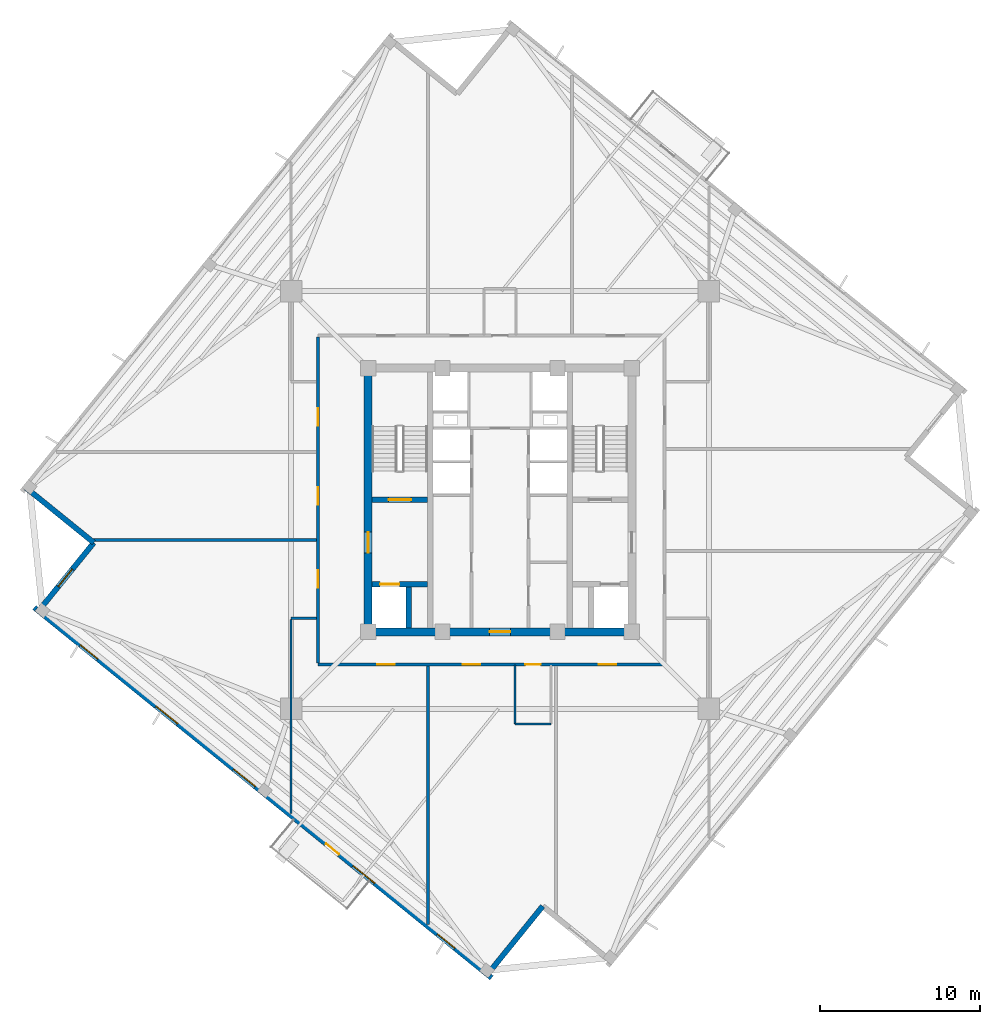
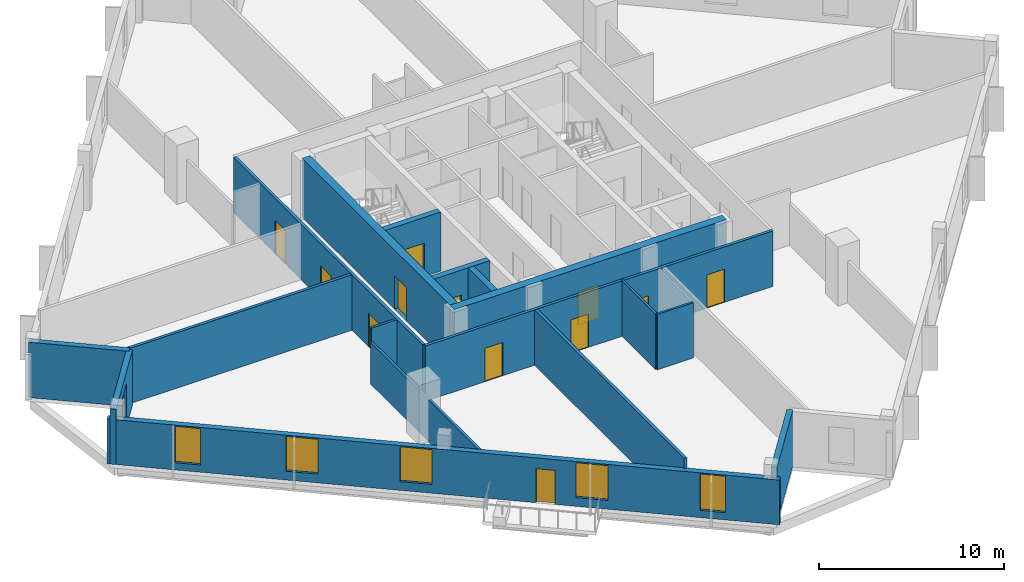
# One storey, part 3 of 10: 17 walls, 12 doors, 6 windows, 18 openings.
"""IFC4 building model written with IfcOpenShell, lengths in metres."""

from ifc_helpers import new_model, si_unit, direction, frame, frame_2d, origin, place, context, subcontext, project, spatial, rectangle, extrude, source, transform, mapped, material, layer, layer_set, type_object, element, fill, save


model = new_model("IFC4")

# Units and contexts
model_context = context("Model", 3, precision=1e-05, world=origin(), true_north=direction((0.0, 1.0)))
body_context = subcontext(model_context, "Body", "Model", "MODEL_VIEW")
ifc_project = project(units=[si_unit("LENGTHUNIT", "METRE"), si_unit("AREAUNIT", "SQUARE_METRE"), si_unit("VOLUMEUNIT", "CUBIC_METRE"), si_unit("PLANEANGLEUNIT", "RADIAN"), si_unit("MASSUNIT", "GRAM", prefix="KILO"), si_unit("THERMODYNAMICTEMPERATUREUNIT", "KELVIN")], contexts=[model_context])

# Site, building, storey
site_placement = place(None, origin())
site = spatial("IfcSite", under=ifc_project, at=site_placement, CompositionType="ELEMENT")
building_placement = place(site_placement, origin())
building = spatial("IfcBuilding", under=site, at=building_placement, Name="Kosmvard Interchange Tower", CompositionType="ELEMENT")
storey_placement = place(building_placement, frame((0.0, 0.0, 240.699951171875)))
storey = spatial("IfcBuildingStorey", under=building, at=storey_placement, Name="L58", CompositionType="ELEMENT", Elevation=240.699951171875)

# Walls
ifc_material_1 = material(Name="Acoustic gypsum partition system")
ifc_layer_1 = layer(ifc_material_1, 0.14990234375, Name="Acoustic gypsum partition system")
ifc_layer_set_1 = layer_set([ifc_layer_1], Name="Acoustic gypsum partition system")
wall_type_1 = type_object("IfcWallType", Name="Acoustic Suite & Meeting Partition 150", PredefinedType="PARTITIONING", material=ifc_layer_set_1)
wall_1_placement = place(storey_placement, frame((-11.4951171875, -7.39990234375, 0.0), z_axis=(0.0, 0.0, 1.0), x_axis=(-1.0, 0.0, 0.0)))
element("IfcWall", 1, at=wall_1_placement, inside=storey, type_object=wall_type_1, Name="L58 Room Partition 15.1", PredefinedType="PARTITIONING", context=body_context, shape_type="SweptSolid", body=[
    extrude(rectangle(XDim=1.5859375, YDim=0.14990234375, at=frame_2d((0.79296875, 0.0))), origin(), (0.0, 0.0, 1.0), 3.66015625),
])
wall_2_placement = place(storey_placement, frame((-13.0810546875, -7.47509765625, 0.0), z_axis=(0.0, 0.0, 1.0), x_axis=(0.0, -1.0, 0.0)))
element("IfcWall", 2, at=wall_2_placement, inside=storey, type_object=wall_type_1, Name="L58 Room Partition 16.1", PredefinedType="PARTITIONING", context=body_context, shape_type="SweptSolid", body=[
    extrude(rectangle(XDim=12.138916015625, YDim=0.14990234375, at=frame_2d((6.0693359375, 0.0))), origin(), (0.0, 0.0, 1.0), 2.760009765625),
])

# Wall, openings, doors
ifc_material_2 = material(Name="Fire-rated gypsum partition system")
ifc_layer_2 = layer(ifc_material_2, 0.179931640625, Name="Fire-rated gypsum partition system")
ifc_layer_set_2 = layer_set([ifc_layer_2], Name="Fire-rated gypsum partition system")
wall_type_2 = type_object("IfcWallType", Name="Corridor & Hotel Compartment Partition 180", PredefinedType="PARTITIONING", material=ifc_layer_set_2)
wall_3_placement = place(storey_placement, frame((-11.39990234375, -10.300048828125, 0.0), z_axis=(0.0, 0.0, 1.0), x_axis=(1.0, 0.0, 0.0)))
wall_3 = element("IfcWall", 3, at=wall_3_placement, inside=storey, type_object=wall_type_2, Name="L58 Corridor Wall CS", PredefinedType="PARTITIONING", context=body_context, shape_type="SweptSolid", body=[
    extrude(rectangle(XDim=21.699951171875, YDim=0.179931640625, at=frame_2d((10.85009765625, 0.0))), origin(), (0.0, 0.0, 1.0), 3.66015625),
])
opening_1_placement = place(wall_3_placement, frame((12.989013671875, 0.0, 0.0)))
opening_1 = element("IfcOpeningElement", 4, at=opening_1_placement, cuts=wall_3, Name="Opening L58-D02", PredefinedType="OPENING", context=body_context, shape_type="SweptSolid", body=[
    extrude(rectangle(XDim=0.949951171875, YDim=2.10009765625, at=frame_2d((0.47509765625, 1.050048828125))), frame((0.0, 0.10009765625, 0.0), z_axis=(0.0, -1.0, 0.0), x_axis=(1.0, 0.0, 0.0)), (0.0, 0.0, 1.0), 0.199951171875),
])
opening_2_placement = place(wall_3_placement, frame((17.58544921875, 0.0, 0.0)))
opening_2 = element("IfcOpeningElement", 5, at=opening_2_placement, cuts=wall_3, Name="Opening L58-D10", PredefinedType="OPENING", context=body_context, shape_type="SweptSolid", body=[
    extrude(rectangle(XDim=1.10009765625, YDim=2.199951171875, at=frame_2d((0.550048828125, 1.10009765625))), frame((0.0, 0.10009765625, 0.0), z_axis=(0.0, -1.0, 0.0), x_axis=(1.0, 0.0, 0.0)), (0.0, 0.0, 1.0), 0.199951171875),
])
opening_3_placement = place(wall_3_placement, frame((9.075439453125, 0.0, 0.0)))
opening_3 = element("IfcOpeningElement", 6, at=opening_3_placement, cuts=wall_3, Name="Opening L58-D11", PredefinedType="OPENING", context=body_context, shape_type="SweptSolid", body=[
    extrude(rectangle(XDim=1.10009765625, YDim=2.199951171875, at=frame_2d((0.550048828125, 1.10009765625))), frame((0.0, 0.10009765625, 0.0), z_axis=(0.0, -1.0, 0.0), x_axis=(1.0, 0.0, 0.0)), (0.0, 0.0, 1.0), 0.199951171875),
])
opening_4_placement = place(wall_3_placement, frame((3.724365234375, 0.0, 0.0)))
opening_4 = element("IfcOpeningElement", 7, at=opening_4_placement, cuts=wall_3, Name="Opening L58-D12", PredefinedType="OPENING", context=body_context, shape_type="SweptSolid", body=[
    extrude(rectangle(XDim=1.10009765625, YDim=2.199951171875, at=frame_2d((0.550048828125, 1.10009765625))), frame((0.0, 0.10009765625, 0.0), z_axis=(0.0, -1.0, 0.0), x_axis=(1.0, 0.0, 0.0)), (0.0, 0.0, 1.0), 0.199951171875),
])
ifc_material_3 = material(Name="Laminated moisture-resistant timber", Category="wood")
door_type_1 = type_object("IfcDoorType", Name="Accessible Washroom Door 950x2100", OperationType="NOTDEFINED", PredefinedType="DOOR", material=ifc_material_3)
shared_shape_1 = source(origin(), body_context, "Body", "SweptSolid", [
    extrude(rectangle(XDim=0.949951171875, YDim=2.10009765625, at=frame_2d((0.47509765625, 1.050048828125))), frame((0.0, 0.02490234375, 0.0), z_axis=(0.0, -1.0, 0.0), x_axis=(1.0, 0.0, 0.0)), (0.0, 0.0, 1.0), 0.050048828125),
])
door_1_placement = place(opening_1_placement, frame((0.949951171875, 0.0, 0.0), z_axis=(0.0, 0.0, 1.0), x_axis=(-1.0, 0.0, 0.0)))
door_1 = element("IfcDoor", 8, at=door_1_placement, inside=storey, type_object=door_type_1, Name="L58 Public Floor Washroom Door", OperationType="SINGLE_SWING_RIGHT", OverallHeight=2.10009765625, OverallWidth=0.949951171875, PredefinedType="DOOR", context=body_context, shape_type="MappedRepresentation", body=[
    mapped(shared_shape_1, transform((0.0, 0.0, 0.0), scale=1.0)),
])
fill(opening_1, door_1)
ifc_material_4 = material(Name="Engineered oak fire-rated timber", Category="wood")
door_type_2 = type_object("IfcDoorType", Name="Office Suite Entrance Door 1100x2200 FD30S", OperationType="NOTDEFINED", PredefinedType="DOOR", material=ifc_material_4)
shared_shape_2 = source(origin(), body_context, "Body", "SweptSolid", [
    extrude(rectangle(XDim=1.10009765625, YDim=2.199951171875, at=frame_2d((0.550048828125, 1.10009765625))), frame((0.0, 0.02490234375, 0.0), z_axis=(0.0, -1.0, 0.0), x_axis=(1.0, 0.0, 0.0)), (0.0, 0.0, 1.0), 0.050048828125),
])
door_2_placement = place(opening_2_placement, frame((1.10009765625, 0.0, 0.0), z_axis=(0.0, 0.0, 1.0), x_axis=(-1.0, 0.0, 0.0)))
door_2 = element("IfcDoor", 9, at=door_2_placement, inside=storey, type_object=door_type_2, Name="L58 Sky Floor Reception Door", OperationType="SINGLE_SWING_RIGHT", OverallHeight=2.199951171875, OverallWidth=1.10009765625, PredefinedType="DOOR", context=body_context, shape_type="MappedRepresentation", body=[
    mapped(shared_shape_2, transform((0.0, 0.0, 0.0), scale=1.0)),
])
fill(opening_2, door_2)
door_3_placement = place(opening_3_placement, frame((1.10009765625, 0.0, 0.0), z_axis=(0.0, 0.0, 1.0), x_axis=(-1.0, 0.0, 0.0)))
door_3 = element("IfcDoor", 10, at=door_3_placement, inside=storey, type_object=door_type_2, Name="L58 South-West Corner Office Door", OperationType="SINGLE_SWING_LEFT", OverallHeight=2.199951171875, OverallWidth=1.10009765625, PredefinedType="DOOR", context=body_context, shape_type="MappedRepresentation", body=[
    mapped(shared_shape_2, transform((0.0, 0.0, 0.0), scale=1.0)),
])
fill(opening_3, door_3)
door_4_placement = place(opening_4_placement, frame((1.10009765625, 0.0, 0.0), z_axis=(0.0, 0.0, 1.0), x_axis=(-1.0, 0.0, 0.0)))
door_4 = element("IfcDoor", 11, at=door_4_placement, inside=storey, type_object=door_type_2, Name="L58 Executive Tea Pantry Door", OperationType="SINGLE_SWING_RIGHT", OverallHeight=2.199951171875, OverallWidth=1.10009765625, PredefinedType="DOOR", context=body_context, shape_type="MappedRepresentation", body=[
    mapped(shared_shape_2, transform((0.0, 0.0, 0.0), scale=1.0)),
])
fill(opening_4, door_4)

wall_4_placement = place(storey_placement, frame((-11.39990234375, -10.199951171875, 0.0), z_axis=(0.0, 0.0, 1.0), x_axis=(0.0, 1.0, 0.0)))
wall_4 = element("IfcWall", 12, at=wall_4_placement, inside=storey, type_object=wall_type_2, Name="L58 Corridor Wall CW", PredefinedType="PARTITIONING", context=body_context, shape_type="SweptSolid", body=[
    extrude(rectangle(XDim=20.39990234375, YDim=0.179931640625, at=frame_2d((10.199951171875, 0.0))), origin(), (0.0, 0.0, 1.0), 3.66015625),
])
opening_5_placement = place(wall_4_placement, frame((14.85009765625, 0.0, 0.0)))
opening_5 = element("IfcOpeningElement", 13, at=opening_5_placement, cuts=wall_4, Name="Opening L58-D03", PredefinedType="OPENING", context=body_context, shape_type="SweptSolid", body=[
    extrude(rectangle(XDim=1.10009765625, YDim=2.199951171875, at=frame_2d((0.550048828125, 1.10009765625))), frame((0.0, 0.10009765625, 0.0), z_axis=(0.0, -1.0, 0.0), x_axis=(1.0, 0.0, 0.0)), (0.0, 0.0, 1.0), 0.199951171875),
])
opening_6_placement = place(wall_4_placement, frame((4.699951171875, 0.0, 0.0)))
opening_6 = element("IfcOpeningElement", 14, at=opening_6_placement, cuts=wall_4, Name="Opening L58-D13", PredefinedType="OPENING", context=body_context, shape_type="SweptSolid", body=[
    extrude(rectangle(XDim=1.10009765625, YDim=2.199951171875, at=frame_2d((0.550048828125, 1.10009765625))), frame((0.0, 0.10009765625, 0.0), z_axis=(0.0, -1.0, 0.0), x_axis=(1.0, 0.0, 0.0)), (0.0, 0.0, 1.0), 0.199951171875),
])
opening_7_placement = place(wall_4_placement, frame((9.89990234375, 0.0, 0.0)))
opening_7 = element("IfcOpeningElement", 15, at=opening_7_placement, cuts=wall_4, Name="Opening L58-D14", PredefinedType="OPENING", context=body_context, shape_type="SweptSolid", body=[
    extrude(rectangle(XDim=1.10009765625, YDim=2.199951171875, at=frame_2d((0.550048828125, 1.10009765625))), frame((0.0, 0.10009765625, 0.0), z_axis=(0.0, -1.0, 0.0), x_axis=(1.0, 0.0, 0.0)), (0.0, 0.0, 1.0), 0.199951171875),
])
door_5_placement = place(opening_5_placement, origin())
door_5 = element("IfcDoor", 16, at=door_5_placement, inside=storey, type_object=door_type_2, Name="L58 North-West Corner Office Door", OperationType="SINGLE_SWING_LEFT", OverallHeight=2.199951171875, OverallWidth=1.10009765625, PredefinedType="DOOR", context=body_context, shape_type="MappedRepresentation", body=[
    mapped(shared_shape_2, transform((0.0, 0.0, 0.0), scale=1.0)),
])
fill(opening_5, door_5)
door_6_placement = place(opening_6_placement, origin())
door_6 = element("IfcDoor", 17, at=door_6_placement, inside=storey, type_object=door_type_2, Name="L58 West Advisory Office 7 Door", OperationType="SINGLE_SWING_LEFT", OverallHeight=2.199951171875, OverallWidth=1.10009765625, PredefinedType="DOOR", context=body_context, shape_type="MappedRepresentation", body=[
    mapped(shared_shape_2, transform((0.0, 0.0, 0.0), scale=1.0)),
])
fill(opening_6, door_6)
door_7_placement = place(opening_7_placement, origin())
door_7 = element("IfcDoor", 18, at=door_7_placement, inside=storey, type_object=door_type_2, Name="L58 West Counsel Office 8 Door", OperationType="SINGLE_SWING_RIGHT", OverallHeight=2.199951171875, OverallWidth=1.10009765625, PredefinedType="DOOR", context=body_context, shape_type="MappedRepresentation", body=[
    mapped(shared_shape_2, transform((0.0, 0.0, 0.0), scale=1.0)),
])
fill(opening_7, door_7)

# Walls
wall_5_placement = place(storey_placement, frame((-4.5, -10.39501953125, 0.0), z_axis=(0.0, 0.0, 1.0), x_axis=(0.0, -1.0, 0.0)))
element("IfcWall", 19, at=wall_5_placement, inside=storey, type_object=wall_type_2, Name="L58 Room Partition 06.1", PredefinedType="PARTITIONING", context=body_context, shape_type="SweptSolid", body=[
    extrude(rectangle(XDim=16.167724609375, YDim=0.179931640625, at=frame_2d((8.083984375, 0.0))), origin(), (0.0, 0.0, 1.0), 3.66015625),
])
wall_6_placement = place(storey_placement, frame((-11.4951171875, -2.5, 0.0), z_axis=(0.0, 0.0, 1.0), x_axis=(-1.0, 0.0, 0.0)))
element("IfcWall", 20, at=wall_6_placement, inside=storey, type_object=wall_type_2, Name="L58 Room Partition 07.1", PredefinedType="PARTITIONING", context=body_context, shape_type="SweptSolid", body=[
    extrude(rectangle(XDim=13.980224609375, YDim=0.179931640625, at=frame_2d((6.990234375, 0.0))), origin(), (0.0, 0.0, 1.0), 3.66015625),
])
ifc_material_5 = material(Name="Precast concrete C45/55", Category="concrete")
ifc_layer_3 = layer(ifc_material_5, 0.340087890625, Name="Precast concrete C45/55")
ifc_layer_set_3 = layer_set([ifc_layer_3], Name="Precast concrete C45/55")
wall_type_3 = type_object("IfcWallType", Name="Mid Tower Precast Pier Wall 340 C45/55", PredefinedType="STANDARD", material=ifc_layer_set_3)
wall_7_placement = place(storey_placement, frame((-29.703125, 0.78857421875, 0.0), z_axis=(0.0, 0.0, 1.0), x_axis=(0.77714355312, -0.629323365087, 0.0)))
element("IfcWall", 21, at=wall_7_placement, inside=storey, type_object=wall_type_3, Name="L58 Precast Facade Wall N-NW1", PredefinedType="STANDARD", context=body_context, shape_type="SweptSolid", body=[
    extrude(rectangle(XDim=5.499755859375, YDim=0.340087890625, at=frame_2d((2.75, 0.0))), origin(), (0.0, 0.0, 1.0), 3.66015625),
])

# Wall, opening, window
wall_8_placement = place(storey_placement, frame((-25.428955078125, -2.672607421875, 0.0), z_axis=(0.0, 0.0, 1.0), x_axis=(-0.629299794138, -0.777162640055, 0.0)))
wall_8 = element("IfcWall", 22, at=wall_8_placement, inside=storey, type_object=wall_type_3, Name="L58 Precast Facade Wall N-NW2", PredefinedType="STANDARD", context=body_context, shape_type="SweptSolid", body=[
    extrude(rectangle(XDim=5.669921875, YDim=0.340087890625, at=frame_2d((2.8349609375, 0.0))), origin(), (0.0, 0.0, 1.0), 3.66015625),
])
opening_8_placement = place(wall_8_placement, frame((2.135009765625, 0.0, 0.47998046875)))
opening_8 = element("IfcOpeningElement", 23, at=opening_8_placement, cuts=wall_8, Name="Opening L58-W22", PredefinedType="OPENING", context=body_context, shape_type="SweptSolid", body=[
    extrude(rectangle(XDim=1.39990234375, YDim=2.39990234375, at=frame_2d((0.699951171875, 1.199951171875))), frame((0.0, 0.18017578125, 0.0), z_axis=(0.0, -1.0, 0.0), x_axis=(1.0, 0.0, 0.0)), (0.0, 0.0, 1.0), 0.360107421875),
])
ifc_material_6 = material(Name="Low-E solar-control double glazing", Category="glass")
window_type_1 = type_object("IfcWindowType", Name="Notched Corner Feature Window 1400x2400", PartitioningType="SINGLE_PANEL", PredefinedType="WINDOW", material=ifc_material_6)
shared_shape_3 = source(origin(), body_context, "Body", "SweptSolid", [
    extrude(rectangle(XDim=1.39990234375, YDim=2.39990234375, at=frame_2d((0.699951171875, 1.199951171875))), frame((0.0, 0.030029296875, 0.0), z_axis=(0.0, -1.0, 0.0), x_axis=(1.0, 0.0, 0.0)), (0.0, 0.0, 1.0), 0.06005859375),
])
window_1_placement = place(opening_8_placement, origin())
window_1 = element("IfcWindow", 24, at=window_1_placement, inside=storey, type_object=window_type_1, Name="L58 Corner Notch Window 22", OverallHeight=2.39990234375, OverallWidth=1.39990234375, PartitioningType="SINGLE_PANEL", PredefinedType="WINDOW", context=body_context, shape_type="MappedRepresentation", body=[
    mapped(shared_shape_3, transform((0.0, 0.0, 0.0), scale=1.0)),
])
fill(opening_8, window_1)

# Wall, openings, door, windows
wall_9_placement = place(storey_placement, frame((-29.154296875, -6.73291015625, 0.0), z_axis=(0.0, 0.0, 1.0), x_axis=(0.77714192302, -0.629325378072, 0.0)))
wall_9 = element("IfcWall", 25, at=wall_9_placement, inside=storey, type_object=wall_type_3, Name="L58 Precast Facade Wall F-W", PredefinedType="STANDARD", context=body_context, shape_type="SweptSolid", body=[
    extrude(rectangle(XDim=36.840087890625, YDim=0.340087890625, at=frame_2d((18.419921875, 0.0))), origin(), (0.0, 0.0, 1.0), 2.9599609375),
])
opening_9_placement = place(wall_9_placement, frame((23.4951171875, 0.0, 0.0)))
opening_9 = element("IfcOpeningElement", 26, at=opening_9_placement, cuts=wall_9, Name="Opening L58-BDW", PredefinedType="OPENING", context=body_context, shape_type="SweptSolid", body=[
    extrude(rectangle(XDim=1.050048828125, YDim=2.25, at=frame_2d((0.52490234375, 1.125))), frame((0.0, 0.18017578125, 0.0), z_axis=(0.0, -1.0, 0.0), x_axis=(1.0, 0.0, 0.0)), (0.0, 0.0, 1.0), 0.360107421875),
])
opening_10_placement = place(wall_9_placement, frame((3.720703125, 0.0, 0.47998046875)))
opening_10 = element("IfcOpeningElement", 27, at=opening_10_placement, cuts=wall_9, Name="Opening L58-W16", PredefinedType="OPENING", context=body_context, shape_type="SweptSolid", body=[
    extrude(rectangle(XDim=1.39990234375, YDim=2.39990234375, at=frame_2d((0.699951171875, 1.199951171875))), frame((0.0, 0.18017578125, 0.0), z_axis=(0.0, -1.0, 0.0), x_axis=(1.0, 0.0, 0.0)), (0.0, 0.0, 1.0), 0.360107421875),
])
opening_11_placement = place(wall_9_placement, frame((9.80859375, 0.0, 0.580078125)))
opening_11 = element("IfcOpeningElement", 28, at=opening_11_placement, cuts=wall_9, Name="Opening L58-W17", PredefinedType="OPENING", context=body_context, shape_type="SweptSolid", body=[
    extrude(rectangle(XDim=1.75, YDim=2.300048828125, at=frame_2d((0.875, 1.14990234375))), frame((0.0, 0.18017578125, 0.0), z_axis=(0.0, -1.0, 0.0), x_axis=(1.0, 0.0, 0.0)), (0.0, 0.0, 1.0), 0.360107421875),
])
opening_12_placement = place(wall_9_placement, frame((16.05810546875, 0.0, 0.580078125)))
opening_12 = element("IfcOpeningElement", 29, at=opening_12_placement, cuts=wall_9, Name="Opening L58-W18", PredefinedType="OPENING", context=body_context, shape_type="SweptSolid", body=[
    extrude(rectangle(XDim=1.75, YDim=2.300048828125, at=frame_2d((0.875, 1.14990234375))), frame((0.0, 0.18017578125, 0.0), z_axis=(0.0, -1.0, 0.0), x_axis=(1.0, 0.0, 0.0)), (0.0, 0.0, 1.0), 0.360107421875),
])
opening_13_placement = place(wall_9_placement, frame((25.67626953125, 0.0, 0.580078125)))
opening_13 = element("IfcOpeningElement", 30, at=opening_13_placement, cuts=wall_9, Name="Opening L58-W19", PredefinedType="OPENING", context=body_context, shape_type="SweptSolid", body=[
    extrude(rectangle(XDim=1.75, YDim=2.300048828125, at=frame_2d((0.875, 1.14990234375))), frame((0.0, 0.18017578125, 0.0), z_axis=(0.0, -1.0, 0.0), x_axis=(1.0, 0.0, 0.0)), (0.0, 0.0, 1.0), 0.360107421875),
])
opening_14_placement = place(wall_9_placement, frame((32.482421875, 0.0, 0.47998046875)))
opening_14 = element("IfcOpeningElement", 31, at=opening_14_placement, cuts=wall_9, Name="Opening L58-W20", PredefinedType="OPENING", context=body_context, shape_type="SweptSolid", body=[
    extrude(rectangle(XDim=1.39990234375, YDim=2.39990234375, at=frame_2d((0.699951171875, 1.199951171875))), frame((0.0, 0.18017578125, 0.0), z_axis=(0.0, -1.0, 0.0), x_axis=(1.0, 0.0, 0.0)), (0.0, 0.0, 1.0), 0.360107421875),
])
ifc_material_7 = material(Name="Anodised aluminium and safety glass", Category="aluminium")
door_type_3 = type_object("IfcDoorType", Name="Tree-Balcony Glazed Door 1050x2250", OperationType="NOTDEFINED", PredefinedType="DOOR", material=ifc_material_7)
shared_shape_4 = source(origin(), body_context, "Body", "SweptSolid", [
    extrude(rectangle(XDim=1.050048828125, YDim=2.25, at=frame_2d((0.52490234375, 1.125))), frame((0.0, 0.02490234375, 0.0), z_axis=(0.0, -1.0, 0.0), x_axis=(1.0, 0.0, 0.0)), (0.0, 0.0, 1.0), 0.050048828125),
])
door_8_placement = place(opening_9_placement, origin())
door_8 = element("IfcDoor", 32, at=door_8_placement, inside=storey, type_object=door_type_3, Name="L58 Tree-Balcony Door BAL-L58-W", OperationType="SINGLE_SWING_LEFT", OverallHeight=2.25, OverallWidth=1.050048828125, PredefinedType="DOOR", context=body_context, shape_type="MappedRepresentation", body=[
    mapped(shared_shape_4, transform((0.0, 0.0, 0.0), scale=1.0)),
])
fill(opening_9, door_8)
window_2_placement = place(opening_10_placement, origin())
window_2 = element("IfcWindow", 33, at=window_2_placement, inside=storey, type_object=window_type_1, Name="L58 Facade Punched Window 16", OverallHeight=2.39990234375, OverallWidth=1.39990234375, PartitioningType="SINGLE_PANEL", PredefinedType="WINDOW", context=body_context, shape_type="MappedRepresentation", body=[
    mapped(shared_shape_3, transform((0.0, 0.0, 0.0), scale=1.0)),
])
fill(opening_10, window_2)
window_3_placement = place(opening_14_placement, origin())
window_3 = element("IfcWindow", 34, at=window_3_placement, inside=storey, type_object=window_type_1, Name="L58 Facade Punched Window 20", OverallHeight=2.39990234375, OverallWidth=1.39990234375, PartitioningType="SINGLE_PANEL", PredefinedType="WINDOW", context=body_context, shape_type="MappedRepresentation", body=[
    mapped(shared_shape_3, transform((0.0, 0.0, 0.0), scale=1.0)),
])
fill(opening_14, window_3)
window_type_2 = type_object("IfcWindowType", Name="Zone 4 Suite Punched Window 1750x2300", PartitioningType="SINGLE_PANEL", PredefinedType="WINDOW", material=ifc_material_6)
shared_shape_5 = source(origin(), body_context, "Body", "SweptSolid", [
    extrude(rectangle(XDim=1.75, YDim=2.300048828125, at=frame_2d((0.875, 1.14990234375))), frame((0.0, 0.030029296875, 0.0), z_axis=(0.0, -1.0, 0.0), x_axis=(1.0, 0.0, 0.0)), (0.0, 0.0, 1.0), 0.06005859375),
])
window_4_placement = place(opening_11_placement, origin())
window_4 = element("IfcWindow", 35, at=window_4_placement, inside=storey, type_object=window_type_2, Name="L58 Facade Punched Window 17", OverallHeight=2.300048828125, OverallWidth=1.75, PartitioningType="SINGLE_PANEL", PredefinedType="WINDOW", context=body_context, shape_type="MappedRepresentation", body=[
    mapped(shared_shape_5, transform((0.0, 0.0, 0.0), scale=1.0)),
])
fill(opening_11, window_4)
window_5_placement = place(opening_12_placement, origin())
window_5 = element("IfcWindow", 36, at=window_5_placement, inside=storey, type_object=window_type_2, Name="L58 Facade Punched Window 18", OverallHeight=2.300048828125, OverallWidth=1.75, PartitioningType="SINGLE_PANEL", PredefinedType="WINDOW", context=body_context, shape_type="MappedRepresentation", body=[
    mapped(shared_shape_5, transform((0.0, 0.0, 0.0), scale=1.0)),
])
fill(opening_12, window_5)
window_6_placement = place(opening_13_placement, origin())
window_6 = element("IfcWindow", 37, at=window_6_placement, inside=storey, type_object=window_type_2, Name="L58 Facade Punched Window 19", OverallHeight=2.300048828125, OverallWidth=1.75, PartitioningType="SINGLE_PANEL", PredefinedType="WINDOW", context=body_context, shape_type="MappedRepresentation", body=[
    mapped(shared_shape_5, transform((0.0, 0.0, 0.0), scale=1.0)),
])
fill(opening_13, window_6)

# Wall
wall_10_placement = place(storey_placement, frame((-0.78857421875, -29.703125, 0.0), z_axis=(0.0, 0.0, 1.0), x_axis=(0.629323365087, 0.77714355312, 0.0)))
element("IfcWall", 38, at=wall_10_placement, inside=storey, type_object=wall_type_3, Name="L58 Precast Facade Wall N-SW1", PredefinedType="STANDARD", context=body_context, shape_type="SweptSolid", body=[
    extrude(rectangle(XDim=5.499755859375, YDim=0.340087890625, at=frame_2d((2.75, 0.0))), origin(), (0.0, 0.0, 1.0), 3.66015625),
])

# Wall, opening, door
ifc_material_8 = material(Name="Concrete C60/75", Category="concrete")
ifc_layer_4 = layer(ifc_material_8, 0.360107421875, Name="Concrete C60/75")
ifc_layer_set_4 = layer_set([ifc_layer_4], Name="Concrete C60/75")
wall_type_4 = type_object("IfcWallType", Name="Stair & Lift Shaft Shear Wall 360 C60/75", PredefinedType="SHEAR", material=ifc_layer_set_4)
wall_11_placement = place(storey_placement, frame((-8.0, 0.02001953125, 0.0), z_axis=(0.0, 0.0, 1.0), x_axis=(1.0, 0.0, 0.0)))
wall_11 = element("IfcWall", 39, at=wall_11_placement, inside=storey, type_object=wall_type_4, Name="L58 Shaft Shear Wall SW-ST1", PredefinedType="SHEAR", context=body_context, shape_type="SweptSolid", body=[
    extrude(rectangle(XDim=3.4599609375, YDim=0.360107421875, at=frame_2d((1.72998046875, 0.0))), origin(), (0.0, 0.0, 1.0), 3.900146484375),
])
opening_15_placement = place(wall_11_placement, frame((1.030029296875, 0.0, 0.0)))
opening_15 = element("IfcOpeningElement", 40, at=opening_15_placement, cuts=wall_11, Name="Opening L58-SD1", PredefinedType="OPENING", context=body_context, shape_type="SweptSolid", body=[
    extrude(rectangle(XDim=1.39990234375, YDim=2.199951171875, at=frame_2d((0.699951171875, 1.10009765625))), frame((0.0, 0.18994140625, 0.0), z_axis=(0.0, -1.0, 0.0), x_axis=(1.0, 0.0, 0.0)), (0.0, 0.0, 1.0), 0.380126953125),
])
ifc_material_9 = material(Name="Painted fire-rated steel leaf", Category="steel")
door_type_4 = type_object("IfcDoorType", Name="Protected Stair Door 1400x2200 FD60S", OperationType="NOTDEFINED", PredefinedType="DOOR", material=ifc_material_9)
shared_shape_6 = source(origin(), body_context, "Body", "SweptSolid", [
    extrude(rectangle(XDim=1.39990234375, YDim=2.199951171875, at=frame_2d((0.699951171875, 1.10009765625))), frame((0.0, 0.02490234375, 0.0), z_axis=(0.0, -1.0, 0.0), x_axis=(1.0, 0.0, 0.0)), (0.0, 0.0, 1.0), 0.050048828125),
])
door_9_placement = place(opening_15_placement, origin())
door_9 = element("IfcDoor", 41, at=door_9_placement, inside=storey, type_object=door_type_4, Name="L58 Stair ST-1 Enclosure Door", OperationType="SINGLE_SWING_LEFT", OverallHeight=2.199951171875, OverallWidth=1.39990234375, PredefinedType="DOOR", context=body_context, shape_type="MappedRepresentation", body=[
    mapped(shared_shape_6, transform((0.0, 0.0, 0.0), scale=1.0)),
])
fill(opening_15, door_9)

wall_12_placement = place(storey_placement, frame((-8.0, -5.280029296875, 0.0), z_axis=(0.0, 0.0, 1.0), x_axis=(1.0, 0.0, 0.0)))
wall_12 = element("IfcWall", 42, at=wall_12_placement, inside=storey, type_object=wall_type_4, Name="L58 Shaft Shear Wall SW-FF1", PredefinedType="SHEAR", context=body_context, shape_type="SweptSolid", body=[
    extrude(rectangle(XDim=3.4599609375, YDim=0.360107421875, at=frame_2d((1.72998046875, 0.0))), origin(), (0.0, 0.0, 1.0), 3.900146484375),
])
opening_16_placement = place(wall_12_placement, frame((0.5, 0.0, 0.0)))
opening_16 = element("IfcOpeningElement", 43, at=opening_16_placement, cuts=wall_12, Name="Opening LD-FF-1-L58", PredefinedType="OPENING", context=body_context, shape_type="SweptSolid", body=[
    extrude(rectangle(XDim=1.199951171875, YDim=2.25, at=frame_2d((0.60009765625, 1.125))), frame((0.0, 0.18994140625, 0.0), z_axis=(0.0, -1.0, 0.0), x_axis=(1.0, 0.0, 0.0)), (0.0, 0.0, 1.0), 0.380126953125),
])
ifc_material_10 = material(Name="Brushed stainless steel sliding leaf", Category="steel")
door_type_5 = type_object("IfcDoorType", Name="Firefighting Lift Sliding Landing Door 1200x2250 EI120", OperationType="DOUBLE_DOOR_SLIDING", PredefinedType="DOOR", material=ifc_material_10)
shared_shape_7 = source(origin(), body_context, "Body", "SweptSolid", [
    extrude(rectangle(XDim=1.199951171875, YDim=2.25, at=frame_2d((0.60009765625, 1.125))), frame((0.0, 0.02490234375, 0.0), z_axis=(0.0, -1.0, 0.0), x_axis=(1.0, 0.0, 0.0)), (0.0, 0.0, 1.0), 0.050048828125),
])
door_10_placement = place(opening_16_placement, origin())
door_10 = element("IfcDoor", 44, at=door_10_placement, inside=storey, type_object=door_type_5, Name="Lift FF-1 Landing Door L58", OperationType="DOUBLE_DOOR_SLIDING", OverallHeight=2.25, OverallWidth=1.199951171875, PredefinedType="DOOR", context=body_context, shape_type="MappedRepresentation", body=[
    mapped(shared_shape_7, transform((0.0, 0.0, 0.0), scale=1.0)),
])
fill(opening_16, door_10)

# Wall
wall_13_placement = place(storey_placement, frame((-5.7099609375, -8.0, 0.0), z_axis=(0.0, 0.0, 1.0), x_axis=(0.0, 1.0, 0.0)))
element("IfcWall", 45, at=wall_13_placement, inside=storey, type_object=wall_type_4, Name="L58 Shaft Shear Wall SW-SM1", PredefinedType="SHEAR", context=body_context, shape_type="SweptSolid", body=[
    extrude(rectangle(XDim=2.5400390625, YDim=0.360107421875, at=frame_2d((1.27001953125, 0.0))), origin(), (0.0, 0.0, 1.0), 3.900146484375),
])

# Wall, opening, door
ifc_layer_5 = layer(ifc_material_8, 0.5, Name="Concrete C60/75")
ifc_layer_set_5 = layer_set([ifc_layer_5], Name="Concrete C60/75")
wall_type_5 = type_object("IfcWallType", Name="Upper Core Shear Wall 500 C60/75", PredefinedType="SHEAR", material=ifc_layer_set_5)
wall_14_placement = place(storey_placement, frame((-8.5, -8.25, 0.0), z_axis=(0.0, 0.0, 1.0), x_axis=(1.0, 0.0, 0.0)))
wall_14 = element("IfcWall", 46, at=wall_14_placement, inside=storey, type_object=wall_type_5, Name="L58 Core Shear Wall CW-S", PredefinedType="SHEAR", context=body_context, shape_type="SweptSolid", body=[
    extrude(rectangle(XDim=17.0, YDim=0.5, at=frame_2d((8.5, 0.0))), origin(), (0.0, 0.0, 1.0), 3.900146484375),
])
opening_17_placement = place(wall_14_placement, frame((7.85009765625, 0.0, 0.0)))
opening_17 = element("IfcOpeningElement", 47, at=opening_17_placement, cuts=wall_14, Name="Opening L58-LD0", PredefinedType="OPENING", context=body_context, shape_type="SweptSolid", body=[
    extrude(rectangle(XDim=1.300048828125, YDim=2.199951171875, at=frame_2d((0.64990234375, 1.10009765625))), frame((0.0, 0.260009765625, 0.0), z_axis=(0.0, -1.0, 0.0), x_axis=(1.0, 0.0, 0.0)), (0.0, 0.0, 1.0), 0.52001953125),
])
door_type_6 = type_object("IfcDoorType", Name="Firefighting Lobby Door 1300x2200 EI60", OperationType="NOTDEFINED", PredefinedType="DOOR", material=ifc_material_9)
shared_shape_8 = source(origin(), body_context, "Body", "SweptSolid", [
    extrude(rectangle(XDim=1.300048828125, YDim=2.199951171875, at=frame_2d((0.64990234375, 1.10009765625))), frame((0.0, 0.02490234375, 0.0), z_axis=(0.0, -1.0, 0.0), x_axis=(1.0, 0.0, 0.0)), (0.0, 0.0, 1.0), 0.050048828125),
])
door_11_placement = place(opening_17_placement, frame((1.300048828125, 0.0, 0.0), z_axis=(0.0, 0.0, 1.0), x_axis=(-1.0, 0.0, 0.0)))
door_11 = element("IfcDoor", 48, at=door_11_placement, inside=storey, type_object=door_type_6, Name="L58 Passenger Lift Lobby South Door", OperationType="SINGLE_SWING_RIGHT", OverallHeight=2.199951171875, OverallWidth=1.300048828125, PredefinedType="DOOR", context=body_context, shape_type="MappedRepresentation", body=[
    mapped(shared_shape_8, transform((0.0, 0.0, 0.0), scale=1.0)),
])
fill(opening_17, door_11)

wall_15_placement = place(storey_placement, frame((-8.25, -8.0, 0.0), z_axis=(0.0, 0.0, 1.0), x_axis=(0.0, 1.0, 0.0)))
wall_15 = element("IfcWall", 49, at=wall_15_placement, inside=storey, type_object=wall_type_5, Name="L58 Core Shear Wall CW-W", PredefinedType="SHEAR", context=body_context, shape_type="SweptSolid", body=[
    extrude(rectangle(XDim=16.0, YDim=0.5, at=frame_2d((8.0, 0.0))), origin(), (0.0, 0.0, 1.0), 3.900146484375),
])
opening_18_placement = place(wall_15_placement, frame((4.68994140625, 0.0, 0.0)))
opening_18 = element("IfcOpeningElement", 50, at=opening_18_placement, cuts=wall_15, Name="Opening L58-FD1", PredefinedType="OPENING", context=body_context, shape_type="SweptSolid", body=[
    extrude(rectangle(XDim=1.300048828125, YDim=2.199951171875, at=frame_2d((0.64990234375, 1.10009765625))), frame((0.0, 0.260009765625, 0.0), z_axis=(0.0, -1.0, 0.0), x_axis=(1.0, 0.0, 0.0)), (0.0, 0.0, 1.0), 0.52001953125),
])
door_12_placement = place(opening_18_placement, frame((1.300048828125, 0.0, 0.0), z_axis=(0.0, 0.0, 1.0), x_axis=(-1.0, 0.0, 0.0)))
door_12 = element("IfcDoor", 51, at=door_12_placement, inside=storey, type_object=door_type_6, Name="L58 Firefighting Lobby West Door", OperationType="SINGLE_SWING_LEFT", OverallHeight=2.199951171875, OverallWidth=1.300048828125, PredefinedType="DOOR", context=body_context, shape_type="MappedRepresentation", body=[
    mapped(shared_shape_8, transform((0.0, 0.0, 0.0), scale=1.0)),
])
fill(opening_18, door_12)

# Walls
ifc_material_11 = material(Name="Moisture-resistant gypsum partition")
ifc_layer_6 = layer(ifc_material_11, 0.135009765625, Name="Moisture-resistant gypsum partition")
ifc_layer_set_6 = layer_set([ifc_layer_6], Name="Moisture-resistant gypsum partition")
wall_type_6 = type_object("IfcWallType", Name="Wet Room Moisture-Resistant Partition 135", PredefinedType="PARTITIONING", material=ifc_layer_set_6)
wall_16_placement = place(storey_placement, frame((0.93896484375, -14.02001953125, 0.0), z_axis=(0.0, 0.0, 1.0), x_axis=(1.0, 0.0, 0.0)))
element("IfcWall", 52, at=wall_16_placement, inside=storey, type_object=wall_type_6, Name="L58 Washroom Partition WC1-S", PredefinedType="PARTITIONING", context=body_context, shape_type="SweptSolid", body=[
    extrude(rectangle(XDim=2.25, YDim=0.135009765625, at=frame_2d((1.125, 0.0))), origin(), (0.0, 0.0, 1.0), 3.66015625),
])
wall_17_placement = place(storey_placement, frame((0.93896484375, -14.02001953125, 0.0), z_axis=(0.0, 0.0, 1.0), x_axis=(0.0, 1.0, 0.0)))
element("IfcWall", 53, at=wall_17_placement, inside=storey, type_object=wall_type_6, Name="L58 Washroom Partition WC1-W", PredefinedType="PARTITIONING", context=body_context, shape_type="SweptSolid", body=[
    extrude(rectangle(XDim=3.699951171875, YDim=0.135009765625, at=frame_2d((1.85009765625, 0.0))), origin(), (0.0, 0.0, 1.0), 3.66015625),
])

save(model, "model.ifc")
